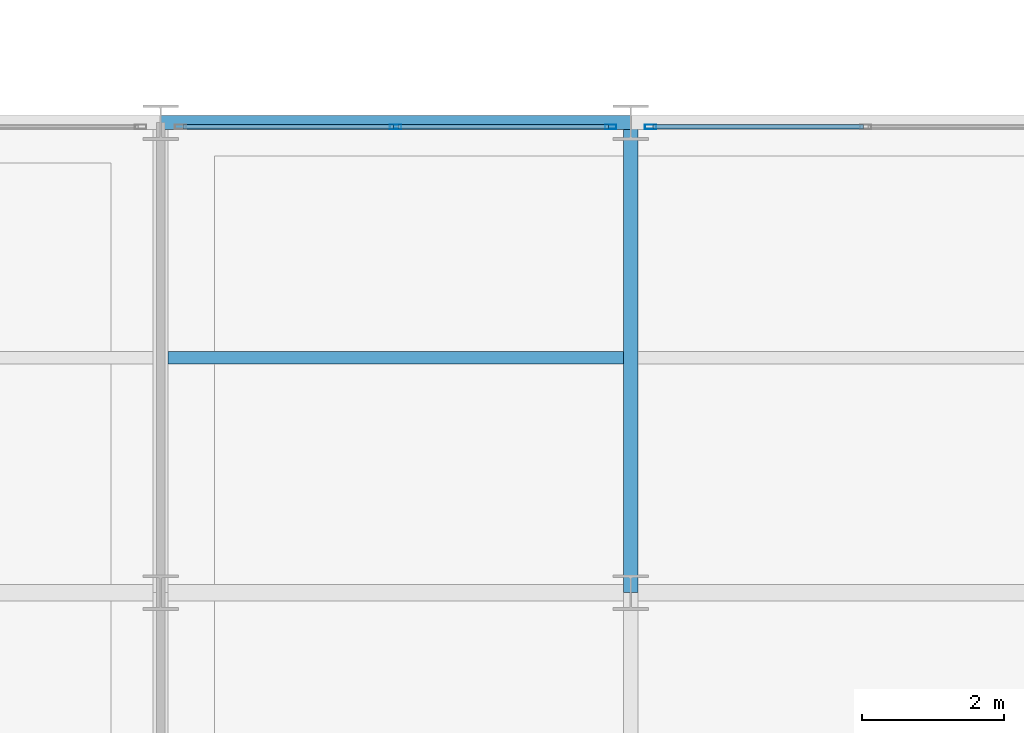
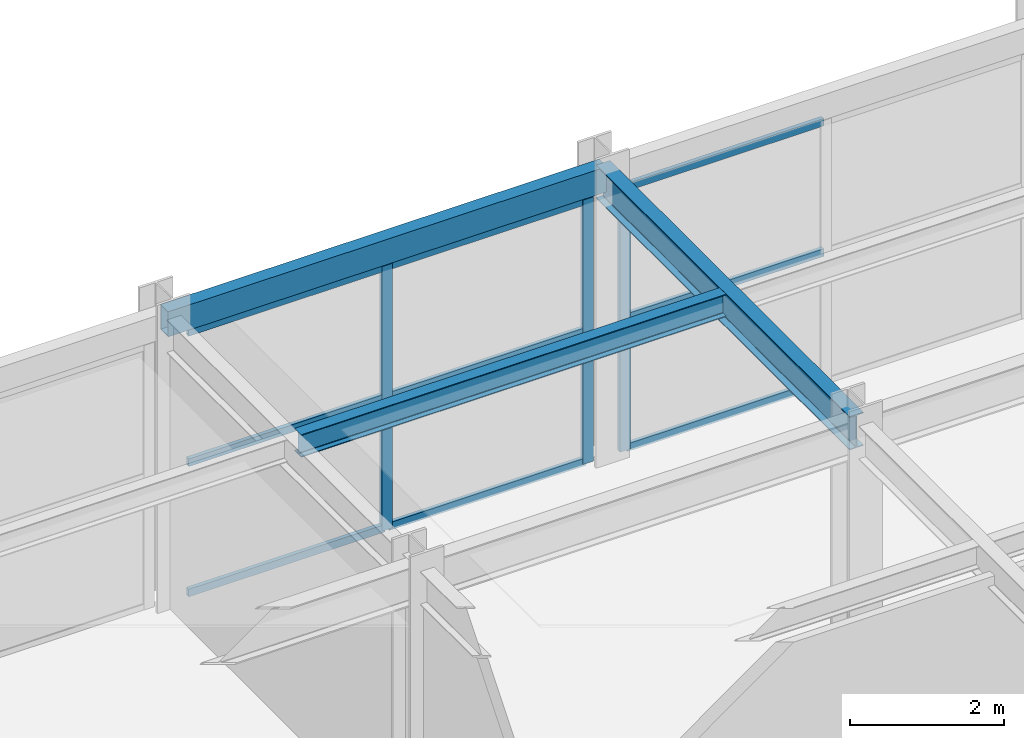
# One storey, part 95 of 144: 12 members, 3 beams, 2 elements without a shape of their own.
"""IFC4 building model written with IfcOpenShell, lengths in metres."""

from ifc_helpers import new_model, si_unit, direction, frame, origin, origin_2d, place, context, subcontext, project, spatial, hollow_rectangle, i_section, extrude, material, material_profile, profile_set, type_object, element, aggregate, save


model = new_model("IFC4")

# Units and contexts
model_context = context("Model", 3, precision=1e-05, world=origin(), true_north=direction((0.0, 1.0)))
body_context = subcontext(model_context, "Body", "Model", "MODEL_VIEW")
ifc_project = project(units=[si_unit("LENGTHUNIT", "METRE"), si_unit("AREAUNIT", "SQUARE_METRE"), si_unit("VOLUMEUNIT", "CUBIC_METRE"), si_unit("PLANEANGLEUNIT", "RADIAN"), si_unit("MASSUNIT", "GRAM", prefix="KILO")], contexts=[model_context])

# Site, building, storey
site_placement = place(None, origin())
site = spatial("IfcSite", under=ifc_project, at=site_placement, CompositionType="ELEMENT")
building_placement = place(site_placement, origin())
building = spatial("IfcBuilding", under=site, at=building_placement, Name="Karori Crest Natural Sciences Institute", CompositionType="ELEMENT")
storey_placement = place(building_placement, origin())
storey = spatial("IfcBuildingStorey", under=building, at=storey_placement, Name="L00", CompositionType="ELEMENT", Elevation=0.0)

# Beams
ifc_material_1 = material(Name="Structural steel AS/NZS 3679.1 Grade 350", Category="steel")
ifc_material_profile_1 = material_profile(ifc_material_1, i_section(OverallWidth=0.208984375, OverallDepth=0.532958984375, WebThickness=0.01025390625, FlangeThickness=0.015625, FilletRadius=0.013916015625, at=origin_2d()), Name="530UB92.4")
ifc_profile_set_1 = profile_set([ifc_material_profile_1], Name="Structural steel AS/NZS 3679.1 Grade 350")
beam_type_1 = type_object("IfcBeamType", Name="BT-05", PredefinedType="BEAM", material=ifc_profile_set_1)
beam_1_placement = place(storey_placement, frame((149.800048828125, 14.0, 4.353515625), z_axis=(0.0, 1.0, 0.0), x_axis=(-1.0, 0.0, 0.0)))
element("IfcBeam", 1, at=beam_1_placement, inside=storey, type_object=beam_type_1, Name="Beam B-2078", PredefinedType="BEAM", context=body_context, shape_type="SweptSolid", body=[
    extrude(i_section(OverallWidth=0.208984375, OverallDepth=0.532958984375, WebThickness=0.01025390625, FlangeThickness=0.015625, FilletRadius=0.013916015625, at=origin_2d()), origin(), (0.0, 0.0, 1.0), 6.60009765625),
])
ifc_material_profile_2 = material_profile(ifc_material_1, i_section(OverallWidth=0.172119140625, OverallDepth=0.35888671875, WebThickness=0.008056640625, FlangeThickness=0.012939453125, FilletRadius=0.010986328125, at=origin_2d()), Name="360UB56.7")
ifc_profile_set_2 = profile_set([ifc_material_profile_2], Name="Structural steel AS/NZS 3679.1 Grade 350")
beam_type_2 = type_object("IfcBeamType", Name="BT-08", PredefinedType="BEAM", material=ifc_profile_set_2)
beam_2_placement = place(storey_placement, frame((143.304443359375, 17.300048828125, 4.4404296875), z_axis=(1.0, 0.0, 0.0), x_axis=(0.0, 1.0, 0.0)))
element("IfcBeam", 2, at=beam_2_placement, inside=storey, type_object=beam_type_2, Name="Beam B-2102", PredefinedType="BEAM", context=body_context, shape_type="SweptSolid", body=[
    extrude(i_section(OverallWidth=0.172119140625, OverallDepth=0.35888671875, WebThickness=0.008056640625, FlangeThickness=0.012939453125, FilletRadius=0.010986328125, at=origin_2d()), origin(), (0.0, 0.0, 1.0), 6.39111328125),
])
ifc_material_2 = material(Name="Hollow structural steel AS/NZS 1163 Grade C350", Category="steel")
ifc_material_profile_3 = material_profile(ifc_material_2, hollow_rectangle(XDim=0.199951171875, YDim=0.39990234375, WallThickness=0.012451171875, at=origin_2d()), Name="RHS400x200x12.5")
ifc_profile_set_3 = profile_set([ifc_material_profile_3], Name="Hollow structural steel AS/NZS 1163 Grade C350")
beam_type_3 = type_object("IfcBeamType", Name="BT-14", PredefinedType="SPANDREL", material=ifc_profile_set_3)
beam_3_placement = place(storey_placement, frame((143.199951171875, 20.60009765625, 4.419921875), z_axis=(1.0, 0.0, 0.0), x_axis=(0.0, 1.0, 0.0)))
element("IfcBeam", 3, at=beam_3_placement, inside=storey, type_object=beam_type_3, Name="Beam B-2052", PredefinedType="SPANDREL", context=body_context, shape_type="SweptSolid", body=[
    extrude(hollow_rectangle(XDim=0.199951171875, YDim=0.39990234375, WallThickness=0.012451171875, at=origin_2d()), origin(), (0.0, 0.0, 1.0), 6.60009765625),
])

# Curtain wall, members
ifc_material_3 = material(Name="Anodised architectural aluminium 6063-T6", Category="aluminium")
curtain_wall_type = type_object("IfcCurtainWallType", Name="CWT-20", PredefinedType="NOTDEFINED", material=ifc_material_3)
curtain_wall_1_placement = place(storey_placement, origin())
curtain_wall_1 = element("IfcCurtainWall", 4, at=curtain_wall_1_placement, inside=storey, type_object=curtain_wall_type, Name="Curtain wall CW-0301", PredefinedType="NOTDEFINED")
ifc_material_profile_4 = material_profile(ifc_material_3, hollow_rectangle(XDim=0.06494140625, YDim=0.159912109375, WallThickness=0.00390625, at=origin_2d()), Name="CWM160x65x4")
ifc_profile_set_4 = profile_set([ifc_material_profile_4], Name="Anodised architectural aluminium 6063-T6")
member_type_1 = type_object("IfcMemberType", Name="CWM-01", PredefinedType="MULLION", material=ifc_profile_set_4)
member_1_placement = place(storey_placement, frame((146.5, 20.5400390625, 0.0), z_axis=(0.0, 0.0, 1.0), x_axis=(0.0, 1.0, 0.0)))
member_1 = element("IfcMember", 5, at=member_1_placement, type_object=member_type_1, Name="CW-0301 mullion 2", PredefinedType="MULLION", context=body_context, shape_type="SweptSolid", body=[
    extrude(hollow_rectangle(XDim=0.06494140625, YDim=0.159912109375, WallThickness=0.00390625, at=origin_2d()), origin(), (0.0, 0.0, 1.0), 4.205078125),
])
member_2_placement = place(storey_placement, frame((149.51953125, 20.5400390625, 0.0), z_axis=(0.0, 0.0, 1.0), x_axis=(0.0, 1.0, 0.0)))
member_2 = element("IfcMember", 6, at=member_2_placement, type_object=member_type_1, Name="CW-0301 mullion 3", PredefinedType="MULLION", context=body_context, shape_type="SweptSolid", body=[
    extrude(hollow_rectangle(XDim=0.06494140625, YDim=0.159912109375, WallThickness=0.00390625, at=origin_2d()), origin(), (0.0, 0.0, 1.0), 4.205078125),
])

# Curtain wall, member
curtain_wall_2_placement = place(storey_placement, origin())
curtain_wall_2 = element("IfcCurtainWall", 7, at=curtain_wall_2_placement, inside=storey, type_object=curtain_wall_type, Name="Curtain wall CW-0302", PredefinedType="NOTDEFINED")
member_3_placement = place(storey_placement, frame((150.08056640625, 20.5400390625, 0.0), z_axis=(0.0, 0.0, 1.0), x_axis=(0.0, 1.0, 0.0)))
member_3 = element("IfcMember", 8, at=member_3_placement, type_object=member_type_1, Name="CW-0302 mullion 1", PredefinedType="MULLION", context=body_context, shape_type="SweptSolid", body=[
    extrude(hollow_rectangle(XDim=0.06494140625, YDim=0.159912109375, WallThickness=0.00390625, at=origin_2d()), origin(), (0.0, 0.0, 1.0), 4.205078125),
])

# Member
ifc_material_profile_5 = material_profile(ifc_material_3, hollow_rectangle(XDim=0.06005859375, YDim=0.1201171875, WallThickness=0.00390625, at=origin_2d()), Name="CWT120x60x4")
ifc_profile_set_5 = profile_set([ifc_material_profile_5], Name="Anodised architectural aluminium 6063-T6")
member_type_2 = type_object("IfcMemberType", Name="CWT-TR1", PredefinedType="USERDEFINED", material=ifc_profile_set_5)
member_4_placement = place(storey_placement, frame((143.512939453125, 20.5400390625, 0.030029296875), z_axis=(1.0, 0.0, 0.0), x_axis=(0.0, 1.0, 0.0)))
member_4 = element("IfcMember", 9, at=member_4_placement, type_object=member_type_2, Name="CW-0301 transom 1.1", ObjectType="TRANSOM", PredefinedType="USERDEFINED", context=body_context, shape_type="SweptSolid", body=[
    extrude(hollow_rectangle(XDim=0.06005859375, YDim=0.1201171875, WallThickness=0.00390625, at=origin_2d()), origin(), (0.0, 0.0, 1.0), 2.95458984375),
])

member_5_placement = place(storey_placement, frame((143.512939453125, 20.5400390625, 2.1025390625), z_axis=(1.0, 0.0, 0.0), x_axis=(0.0, 1.0, 0.0)))
member_5 = element("IfcMember", 10, at=member_5_placement, type_object=member_type_2, Name="CW-0301 transom 1.2", ObjectType="TRANSOM", PredefinedType="USERDEFINED", context=body_context, shape_type="SweptSolid", body=[
    extrude(hollow_rectangle(XDim=0.06005859375, YDim=0.1201171875, WallThickness=0.00390625, at=origin_2d()), origin(), (0.0, 0.0, 1.0), 2.95458984375),
])

member_6_placement = place(storey_placement, frame((143.512939453125, 20.5400390625, 4.175048828125), z_axis=(1.0, 0.0, 0.0), x_axis=(0.0, 1.0, 0.0)))
member_6 = element("IfcMember", 11, at=member_6_placement, type_object=member_type_2, Name="CW-0301 transom 1.3", ObjectType="TRANSOM", PredefinedType="USERDEFINED", context=body_context, shape_type="SweptSolid", body=[
    extrude(hollow_rectangle(XDim=0.06005859375, YDim=0.1201171875, WallThickness=0.00390625, at=origin_2d()), origin(), (0.0, 0.0, 1.0), 2.95458984375),
])

member_7_placement = place(storey_placement, frame((146.532470703125, 20.5400390625, 0.030029296875), z_axis=(1.0, 0.0, 0.0), x_axis=(0.0, 1.0, 0.0)))
member_7 = element("IfcMember", 12, at=member_7_placement, type_object=member_type_2, Name="CW-0301 transom 2.1", ObjectType="TRANSOM", PredefinedType="USERDEFINED", context=body_context, shape_type="SweptSolid", body=[
    extrude(hollow_rectangle(XDim=0.06005859375, YDim=0.1201171875, WallThickness=0.00390625, at=origin_2d()), origin(), (0.0, 0.0, 1.0), 2.95458984375),
])

member_8_placement = place(storey_placement, frame((146.532470703125, 20.5400390625, 2.1025390625), z_axis=(1.0, 0.0, 0.0), x_axis=(0.0, 1.0, 0.0)))
member_8 = element("IfcMember", 13, at=member_8_placement, type_object=member_type_2, Name="CW-0301 transom 2.2", ObjectType="TRANSOM", PredefinedType="USERDEFINED", context=body_context, shape_type="SweptSolid", body=[
    extrude(hollow_rectangle(XDim=0.06005859375, YDim=0.1201171875, WallThickness=0.00390625, at=origin_2d()), origin(), (0.0, 0.0, 1.0), 2.95458984375),
])

member_9_placement = place(storey_placement, frame((146.532470703125, 20.5400390625, 4.175048828125), z_axis=(1.0, 0.0, 0.0), x_axis=(0.0, 1.0, 0.0)))
member_9 = element("IfcMember", 14, at=member_9_placement, type_object=member_type_2, Name="CW-0301 transom 2.3", ObjectType="TRANSOM", PredefinedType="USERDEFINED", context=body_context, shape_type="SweptSolid", body=[
    extrude(hollow_rectangle(XDim=0.06005859375, YDim=0.1201171875, WallThickness=0.00390625, at=origin_2d()), origin(), (0.0, 0.0, 1.0), 2.95458984375),
])

aggregate(curtain_wall_1, [member_1, member_2, member_4, member_5, member_6, member_7, member_8, member_9])

member_10_placement = place(storey_placement, frame((150.113037109375, 20.5400390625, 0.030029296875), z_axis=(1.0, 0.0, 0.0), x_axis=(0.0, 1.0, 0.0)))
member_10 = element("IfcMember", 15, at=member_10_placement, type_object=member_type_2, Name="CW-0302 transom 1.1", ObjectType="TRANSOM", PredefinedType="USERDEFINED", context=body_context, shape_type="SweptSolid", body=[
    extrude(hollow_rectangle(XDim=0.06005859375, YDim=0.1201171875, WallThickness=0.00390625, at=origin_2d()), origin(), (0.0, 0.0, 1.0), 2.954345703125),
])

member_11_placement = place(storey_placement, frame((150.113037109375, 20.5400390625, 2.1025390625), z_axis=(1.0, 0.0, 0.0), x_axis=(0.0, 1.0, 0.0)))
member_11 = element("IfcMember", 16, at=member_11_placement, type_object=member_type_2, Name="CW-0302 transom 1.2", ObjectType="TRANSOM", PredefinedType="USERDEFINED", context=body_context, shape_type="SweptSolid", body=[
    extrude(hollow_rectangle(XDim=0.06005859375, YDim=0.1201171875, WallThickness=0.00390625, at=origin_2d()), origin(), (0.0, 0.0, 1.0), 2.954345703125),
])

member_12_placement = place(storey_placement, frame((150.113037109375, 20.5400390625, 4.175048828125), z_axis=(1.0, 0.0, 0.0), x_axis=(0.0, 1.0, 0.0)))
member_12 = element("IfcMember", 17, at=member_12_placement, type_object=member_type_2, Name="CW-0302 transom 1.3", ObjectType="TRANSOM", PredefinedType="USERDEFINED", context=body_context, shape_type="SweptSolid", body=[
    extrude(hollow_rectangle(XDim=0.06005859375, YDim=0.1201171875, WallThickness=0.00390625, at=origin_2d()), origin(), (0.0, 0.0, 1.0), 2.954345703125),
])

aggregate(curtain_wall_2, [member_3, member_10, member_11, member_12])

save(model, "model.ifc")
